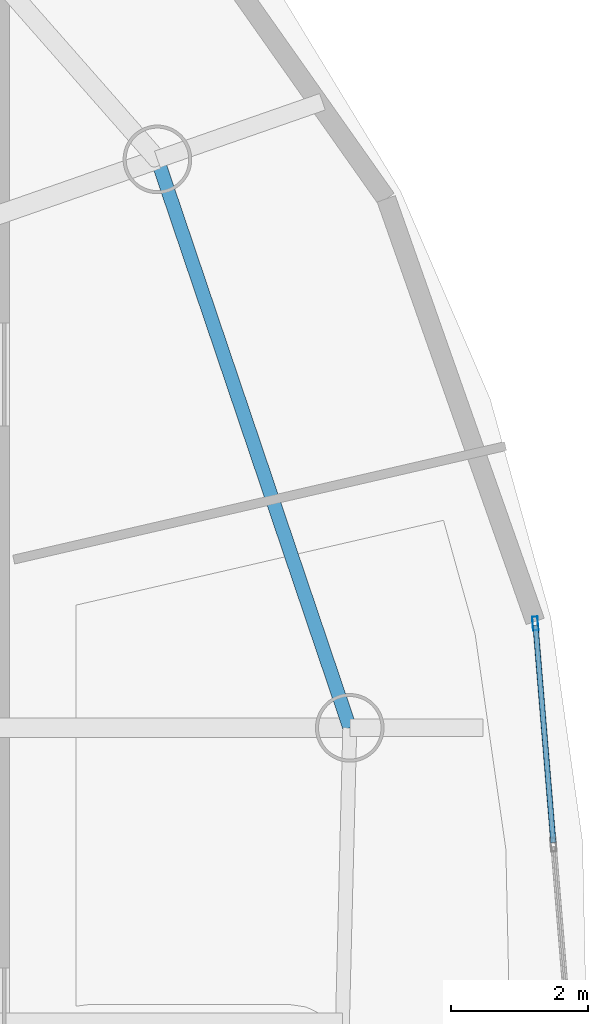
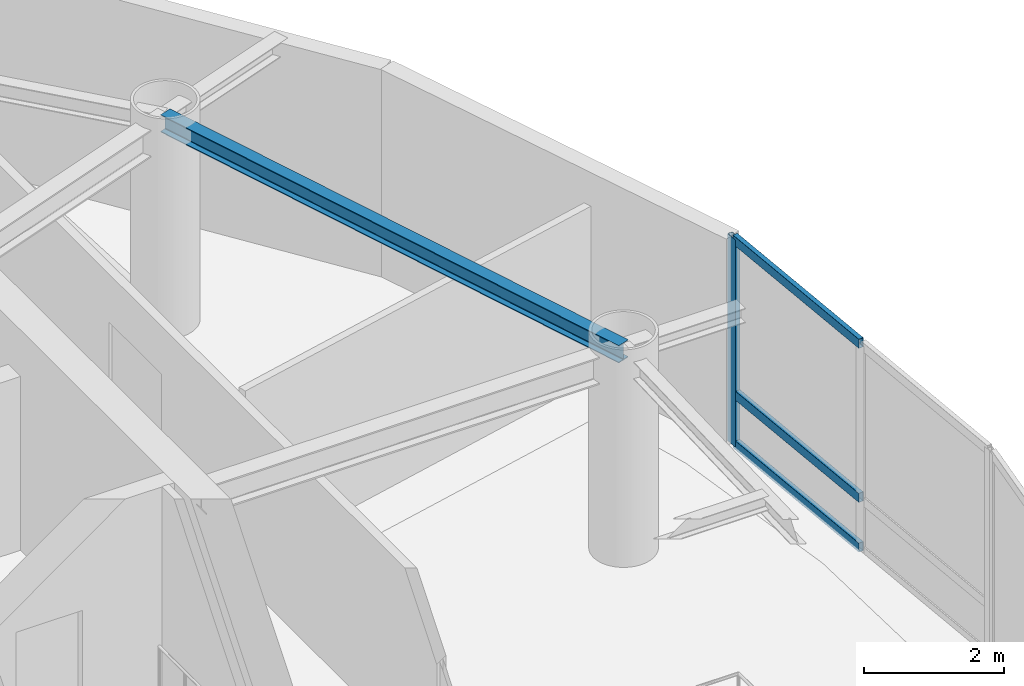
# One storey, part 8 of 20: 4 members, 1 beam, 1 element without a shape of its own.
"""IFC4 building model written with IfcOpenShell, lengths in metres."""

import ifcopenshell
import ifcopenshell.guid

model = None  # the IFC model being written
_history = None  # IfcOwnerHistory: only IFC2X3 demands one
_inside = {}  # id of a spatial element -> (the spatial element, [elements in it])
_under = {}  # id of a project, library or spatial element -> (it, [spatial elements below it])
_declared = {}  # id of a project -> (the project, [libraries it declares])
_typed = {}  # id of a type object -> (the type object, [elements of that type])
_made_of = {}  # id of a material, layer set ... -> (it, [elements and type objects made of it])


def new_model(schema):
    """Start an empty IFC model of exactly this schema.

    Asked for "IFC4X3", IfcOpenShell would pick the latest addendum, in which some entities
    have other attributes; the version numbers below select the first issue.
    IFC2X3 requires an IfcOwnerHistory on every rooted entity: one is made here for all.
    """
    global model, _history
    if schema == "IFC4X3":
        model = ifcopenshell.file(schema_version=(4, 3, 0, 0))
    else:
        model = ifcopenshell.file(schema=schema)
    _inside.clear()
    _under.clear()
    _declared.clear()
    _typed.clear()
    _made_of.clear()
    _history = None
    if model.schema == "IFC2X3":
        org = make("IfcOrganization", Name="unknown")
        user = make(
            "IfcPersonAndOrganization",
            ThePerson=make("IfcPerson", FamilyName="unknown"),
            TheOrganization=org,
        )
        app = make(
            "IfcApplication",
            ApplicationDeveloper=org,
            Version="unknown",
            ApplicationFullName="unknown",
            ApplicationIdentifier="unknown",
        )
        _history = make(
            "IfcOwnerHistory",
            OwningUser=user,
            OwningApplication=app,
            ChangeAction="ADDED",
            CreationDate=0,
        )
    return model


def make(cls, **values):
    """One entity of the class cls with the attributes given. An attribute that is None is left unset."""
    return model.create_entity(
        cls, **{name: value for name, value in values.items() if value is not None}
    )


def rooted(cls, **values):
    """An entity with a GlobalId (a new one), such as an element, a storey or a relation."""
    return make(cls, GlobalId=ifcopenshell.guid.new(), OwnerHistory=_history, **values)


def si_unit(unit_type, name, prefix=None):
    """IfcSIUnit, for example si_unit("LENGTHUNIT", "METRE", prefix="MILLI")."""
    return make("IfcSIUnit", UnitType=unit_type, Prefix=prefix, Name=name)


def assignment(units):
    """IfcUnitAssignment: the units of a project."""
    return None if units is None else make("IfcUnitAssignment", Units=units)


def point(xyz):
    """IfcCartesianPoint."""
    return None if xyz is None else make("IfcCartesianPoint", Coordinates=xyz)


def direction(xyz):
    """IfcDirection."""
    return None if xyz is None else make("IfcDirection", DirectionRatios=xyz)


def frame(location, z_axis=None, x_axis=None):
    """IfcAxis2Placement3D, a coordinate frame: its origin and axes. An axis left out is left unset."""
    return make(
        "IfcAxis2Placement3D",
        Location=point(location),
        Axis=direction(z_axis),
        RefDirection=direction(x_axis),
    )


def frame_2d(location, x_axis=None):
    """IfcAxis2Placement2D, a coordinate frame in the plane: its origin and x axis."""
    return make(
        "IfcAxis2Placement2D", Location=point(location), RefDirection=direction(x_axis)
    )


def origin():
    """The frame at (0, 0, 0) with its axes left unset."""
    return frame((0.0, 0.0, 0.0))


def origin_2d():
    """The frame at (0, 0) in the plane with its x axis left unset."""
    return frame_2d((0.0, 0.0))


def place(relative_to, where):
    """IfcLocalPlacement: puts the frame where relative to a parent placement (None: the world)."""
    return make(
        "IfcLocalPlacement", PlacementRelTo=relative_to, RelativePlacement=where
    )


def context(
    kind, dimensions, precision=None, world=None, true_north=None, identifier=None
):
    """IfcGeometricRepresentationContext, for example the 3D "Model" context."""
    return make(
        "IfcGeometricRepresentationContext",
        ContextIdentifier=identifier,
        ContextType=kind,
        CoordinateSpaceDimension=dimensions,
        Precision=precision,
        WorldCoordinateSystem=world,
        TrueNorth=true_north,
    )


def subcontext(parent, identifier, kind, view, scale=None):
    """IfcGeometricRepresentationSubContext, for example "Body" below "Model"."""
    return make(
        "IfcGeometricRepresentationSubContext",
        ContextIdentifier=identifier,
        ContextType=kind,
        ParentContext=parent,
        TargetScale=scale,
        TargetView=view,
    )


def project(units=None, contexts=None):
    """IfcProject with its units and contexts."""
    return rooted(
        "IfcProject",
        Name="project",
        RepresentationContexts=contexts,
        UnitsInContext=assignment(units),
    )


def spatial(cls, under=None, at=None, **own):
    """A site, building, storey or space (cls), placed at a placement, below another one or the project."""
    s = rooted(cls, ObjectPlacement=at, **own)
    if under is not None:
        _under.setdefault(under.id(), (under, []))[1].append(s)
    return s


def profile(cls, at=None, kind="AREA", **sizes):
    """A parametric profile (cls). Its sizes go by their IFC names, for example OverallWidth=200.0."""
    return make(cls, ProfileType=kind, Position=at, **sizes)


def hollow_rectangle(**sizes):
    """IfcRectangleHollowProfileDef."""
    return profile("IfcRectangleHollowProfileDef", **sizes)


def i_section(**sizes):
    """IfcIShapeProfileDef."""
    return profile("IfcIShapeProfileDef", **sizes)


def extrude(swept, where, along, depth):
    """IfcExtrudedAreaSolid: the profile swept, set in the frame where, extruded along a direction by depth."""
    return make(
        "IfcExtrudedAreaSolid",
        SweptArea=swept,
        Position=where,
        ExtrudedDirection=direction(along),
        Depth=depth,
    )


def shape(context_of_items, identifier, shape_type, items):
    """IfcShapeRepresentation: the items that make up one representation, for example the "Body"."""
    return make(
        "IfcShapeRepresentation",
        ContextOfItems=context_of_items,
        RepresentationIdentifier=identifier,
        RepresentationType=shape_type,
        Items=items,
    )


def material(Name=None, Category=None):
    """IfcMaterial."""
    return make("IfcMaterial", Name=Name, Category=Category)


def layer(
    of_material, thickness, ventilated=None, Name=None, Category=None, Priority=None
):
    """IfcMaterialLayer: one layer of a wall or slab, of a material (None: an air gap)."""
    return make(
        "IfcMaterialLayer",
        Material=of_material,
        LayerThickness=thickness,
        IsVentilated=ventilated,
        Name=Name,
        Category=Category,
        Priority=Priority,
    )


def layer_set(layers, Name=None):
    """IfcMaterialLayerSet."""
    return make("IfcMaterialLayerSet", MaterialLayers=layers, LayerSetName=Name)


def material_profile(
    of_material, cross_section, Name=None, Category=None, Priority=None
):
    """IfcMaterialProfile: a cross section and its material."""
    return make(
        "IfcMaterialProfile",
        Name=Name,
        Material=of_material,
        Profile=cross_section,
        Priority=Priority,
        Category=Category,
    )


def profile_set(profiles, Name=None, composite=None):
    """IfcMaterialProfileSet."""
    return make(
        "IfcMaterialProfileSet",
        Name=Name,
        MaterialProfiles=profiles,
        CompositeProfile=composite,
    )


def made_of(thing, what):
    """Note that an element or type object is made of a material, layer set ...; save() writes the relation."""
    if what is not None:
        _made_of.setdefault(what.id(), (what, []))[1].append(thing)
    return thing


def type_object(cls, material=None, **own):
    """A type object (cls), such as IfcWallType, which elements share."""
    return made_of(rooted(cls, **own), material)


def element(
    cls,
    number,
    at=None,
    inside=None,
    cuts=None,
    type_object=None,
    material=None,
    context=None,
    identifier="Body",
    shape_type=None,
    held_by="IfcProductDefinitionShape",
    body=None,
    shapes=None,
    **own,
):
    """One element of the class cls, such as IfcWall. Its Tag is "e" and its number.

    at: its placement. inside: the storey or other place that contains it. cuts: it is an
    opening in that element (IfcRelVoidsElement). A single representation is given by context,
    identifier, shape_type and body (its items); several are given by shapes. held_by: the class
    of the entity that holds the representations. save() writes the other relations.
    """
    e = rooted(cls, Tag="e%d" % number, ObjectPlacement=at, **own)
    if body is not None:
        shapes = [shape(context, identifier, shape_type, body)]
    if shapes is not None:
        e.Representation = make(held_by, Representations=shapes)
    if inside is not None:
        _inside.setdefault(inside.id(), (inside, []))[1].append(e)
    if cuts is not None:
        rooted(
            "IfcRelVoidsElement", RelatingBuildingElement=cuts, RelatedOpeningElement=e
        )
    if type_object is not None:
        _typed.setdefault(type_object.id(), (type_object, []))[1].append(e)
    return made_of(e, material)


def aggregate(whole, parts):
    """IfcRelAggregates: a whole, such as a stair, and the parts it consists of."""
    return rooted("IfcRelAggregates", RelatingObject=whole, RelatedObjects=parts)


def save(model, path):
    """Write the relations noted so far, then the file.

    IfcRelAggregates (storeys below a building ...), IfcRelContainedInSpatialStructure (elements
    in a storey), IfcRelDefinesByType, IfcRelAssociatesMaterial and IfcRelDeclares: one each for
    every whole, place, type object, material and project.
    """
    for whole, parts in _under.values():
        aggregate(whole, parts)
    for where, things in _inside.values():
        rooted(
            "IfcRelContainedInSpatialStructure",
            RelatedElements=things,
            RelatingStructure=where,
        )
    for kind, things in _typed.values():
        rooted("IfcRelDefinesByType", RelatedObjects=things, RelatingType=kind)
    for what, things in _made_of.values():
        rooted("IfcRelAssociatesMaterial", RelatedObjects=things, RelatingMaterial=what)
    for by, libraries in _declared.values():
        rooted("IfcRelDeclares", RelatingContext=by, RelatedDefinitions=libraries)
    model.write(path)


model = new_model("IFC4")

# Units and contexts
model_context = context("Model", 3, precision=1e-05, world=origin(), true_north=direction((0.0, 1.0)))
body_context = subcontext(model_context, "Body", "Model", "MODEL_VIEW")
ifc_project = project(units=[si_unit("LENGTHUNIT", "METRE"), si_unit("AREAUNIT", "SQUARE_METRE"), si_unit("VOLUMEUNIT", "CUBIC_METRE"), si_unit("PLANEANGLEUNIT", "RADIAN"), si_unit("MASSUNIT", "GRAM", prefix="KILO")], contexts=[model_context])

# Site, building, storey
site_placement = place(None, origin())
site = spatial("IfcSite", under=ifc_project, at=site_placement, CompositionType="ELEMENT")
building_placement = place(site_placement, origin())
building = spatial("IfcBuilding", under=site, at=building_placement, Name="Bramvorn Convention Spire", CompositionType="ELEMENT")
storey_placement = place(building_placement, frame((0.0, 0.0, 284.39990234375)))
storey = spatial("IfcBuildingStorey", under=building, at=storey_placement, Name="L72", CompositionType="ELEMENT", Elevation=284.39990234375)

# Beam
ifc_material_1 = material(Name="Steel CSA G40.21 Grade 350 (350W)", Category="steel")
ifc_material_profile_1 = material_profile(ifc_material_1, i_section(OverallWidth=0.202880859375, OverallDepth=0.302978515625, WebThickness=0.007568359375, FlangeThickness=0.01318359375, FilletRadius=0.013916015625, at=origin_2d()))
ifc_profile_set_1 = profile_set([ifc_material_profile_1], Name="Steel CSA G40.21 Grade 350 (350W) - W310X60")
beam_type = type_object("IfcBeamType", Name="BM-W310X60", PredefinedType="JOIST", material=ifc_profile_set_1)
beam_placement = place(storey_placement, frame((56.234619140625, 26.62939453125, 3.4736328125), z_axis=(-0.320531023763, 0.947238018032, 0.0), x_axis=(-0.947238018032, -0.320531023763, 0.0)))
element("IfcBeam", 1, at=beam_placement, inside=storey, type_object=beam_type, Name="L72 mega-column ring beam 04", PredefinedType="JOIST", context=body_context, shape_type="SweptSolid", body=[
    extrude(i_section(OverallWidth=0.202880859375, OverallDepth=0.302978515625, WebThickness=0.007568359375, FlangeThickness=0.01318359375, FilletRadius=0.013916015625, at=origin_2d()), origin(), (0.0, 0.0, 1.0), 8.74169921875),
])

# Curtain wall, members
ifc_material_2 = material(Name="Anodised Bronze Unitised Curtain Wall", Category="aluminium")
ifc_layer = layer(ifc_material_2, 0.179931640625)
ifc_layer_set = layer_set([ifc_layer], Name="Anodised Bronze Unitised Curtain Wall - CW-OFF-FRIT")
curtain_wall_type = type_object("IfcCurtainWallType", Name="CW-OFF-FRIT", PredefinedType="USERDEFINED", material=ifc_layer_set)
curtain_wall_placement = place(storey_placement, origin())
curtain_wall = element("IfcCurtainWall", 2, at=curtain_wall_placement, inside=storey, type_object=curtain_wall_type, Name="L72 fritted glass curtain wall 05", ObjectType="UNITISED CURTAIN WALL", PredefinedType="USERDEFINED")
ifc_material_3 = material(Name="Anodised Bronze Aluminium 6063-T6", Category="aluminium")
ifc_material_profile_2 = material_profile(ifc_material_3, hollow_rectangle(XDim=0.080078125, YDim=0.199951171875, WallThickness=0.00390625, InnerFilletRadius=0.0009765625, OuterFilletRadius=0.00390625, at=origin_2d()))
ifc_profile_set_2 = profile_set([ifc_material_profile_2], Name="Anodised Bronze Aluminium 6063-T6 - CWM80X200")
member_type_1 = type_object("IfcMemberType", Name="CW-MUL-180", PredefinedType="MULLION", material=ifc_profile_set_2)
member_1_placement = place(storey_placement, frame((58.93798828125, 28.149658203125, 0.0), z_axis=(0.0, 0.0, 1.0), x_axis=(0.996648024612, 0.081809015619, 0.0)))
member_1 = element("IfcMember", 3, at=member_1_placement, type_object=member_type_1, Name="CW3 mullion 1", PredefinedType="MULLION", context=body_context, shape_type="SweptSolid", body=[
    extrude(hollow_rectangle(XDim=0.080078125, YDim=0.199951171875, WallThickness=0.00390625, InnerFilletRadius=0.0009765625, OuterFilletRadius=0.00390625, at=origin_2d()), origin(), (0.0, 0.0, 1.0), 3.625),
])
ifc_material_profile_3 = material_profile(ifc_material_3, hollow_rectangle(XDim=0.080078125, YDim=0.159912109375, WallThickness=0.00390625, InnerFilletRadius=0.0009765625, OuterFilletRadius=0.00390625, at=origin_2d()))
ifc_profile_set_3 = profile_set([ifc_material_profile_3], Name="Anodised Bronze Aluminium 6063-T6 - CWT80X160")
member_type_2 = type_object("IfcMemberType", Name="CW-TRN-150", PredefinedType="USERDEFINED", material=ifc_profile_set_3)
member_2_placement = place(storey_placement, frame((58.9404296875, 28.119873046875, 0.030029296875), z_axis=(0.081861119814, -0.996643746312, 0.0), x_axis=(0.996643746312, 0.081861119814, 0.0)))
member_2 = element("IfcMember", 4, at=member_2_placement, type_object=member_type_2, Name="CW3 transom 1.1", ObjectType="TRANSOM", PredefinedType="USERDEFINED", context=body_context, shape_type="SweptSolid", body=[
    extrude(hollow_rectangle(XDim=0.080078125, YDim=0.159912109375, WallThickness=0.00390625, InnerFilletRadius=0.0009765625, OuterFilletRadius=0.00390625, at=origin_2d()), origin(), (0.0, 0.0, 1.0), 3.17333984375),
])
member_3_placement = place(storey_placement, frame((58.9404296875, 28.119873046875, 0.900146484375), z_axis=(0.081861119814, -0.996643746312, 0.0), x_axis=(0.996643746312, 0.081861119814, 0.0)))
member_3 = element("IfcMember", 5, at=member_3_placement, type_object=member_type_2, Name="CW3 transom 1.2", ObjectType="TRANSOM", PredefinedType="USERDEFINED", context=body_context, shape_type="SweptSolid", body=[
    extrude(hollow_rectangle(XDim=0.080078125, YDim=0.159912109375, WallThickness=0.00390625, InnerFilletRadius=0.0009765625, OuterFilletRadius=0.00390625, at=origin_2d()), origin(), (0.0, 0.0, 1.0), 3.17333984375),
])
member_4_placement = place(storey_placement, frame((58.9404296875, 28.119873046875, 3.59521484375), z_axis=(0.081861119814, -0.996643746312, 0.0), x_axis=(0.996643746312, 0.081861119814, 0.0)))
member_4 = element("IfcMember", 6, at=member_4_placement, type_object=member_type_2, Name="CW3 transom 1.3", ObjectType="TRANSOM", PredefinedType="USERDEFINED", context=body_context, shape_type="SweptSolid", body=[
    extrude(hollow_rectangle(XDim=0.080078125, YDim=0.159912109375, WallThickness=0.00390625, InnerFilletRadius=0.0009765625, OuterFilletRadius=0.00390625, at=origin_2d()), origin(), (0.0, 0.0, 1.0), 3.17333984375),
])
aggregate(curtain_wall, [member_1, member_2, member_3, member_4])

save(model, "model.ifc")
